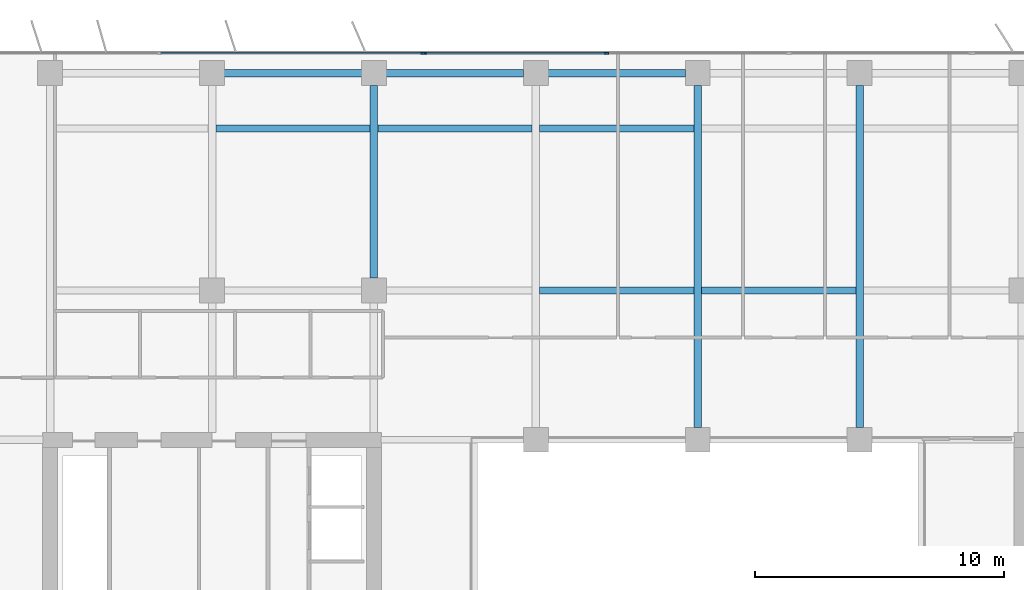
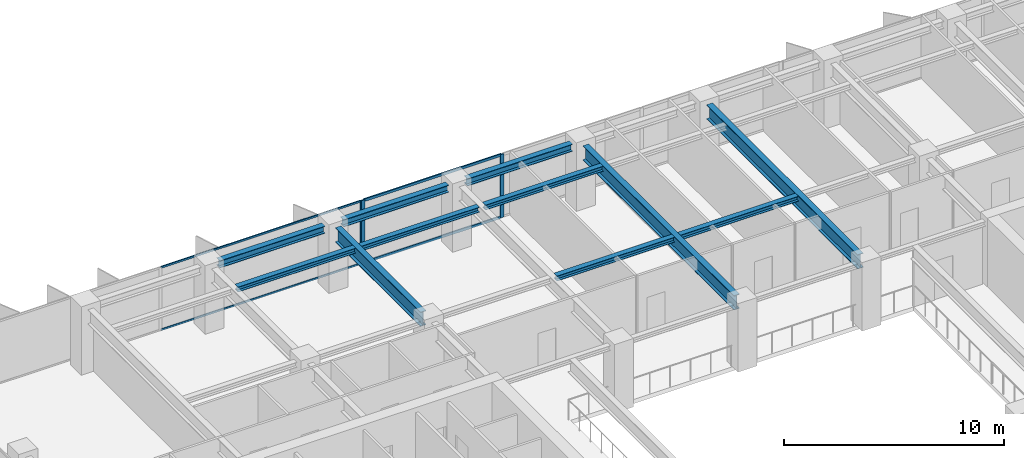
# One storey, part 9 of 22: 11 beams, 7 members, 2 elements without a shape of their own.
"""IFC4 building model written with IfcOpenShell, lengths in metres."""

from ifc_helpers import new_model, si_unit, direction, frame, origin, origin_2d, place, context, subcontext, project, spatial, rectangle, i_section, extrude, material, layer, layer_set, material_profile, profile_set, type_object, element, aggregate, save


model = new_model("IFC4")

# Units and contexts
model_context = context("Model", 3, precision=1e-05, world=origin(), true_north=direction((0.0, 1.0)))
body_context = subcontext(model_context, "Body", "Model", "MODEL_VIEW")
ifc_project = project(units=[si_unit("LENGTHUNIT", "METRE"), si_unit("AREAUNIT", "SQUARE_METRE"), si_unit("VOLUMEUNIT", "CUBIC_METRE"), si_unit("PLANEANGLEUNIT", "RADIAN"), si_unit("MASSUNIT", "GRAM", prefix="KILO")], contexts=[model_context])

# Site, building, storey
site_placement = place(None, origin())
site = spatial("IfcSite", under=ifc_project, at=site_placement, CompositionType="ELEMENT")
building_placement = place(site_placement, origin())
building = spatial("IfcBuilding", under=site, at=building_placement, Name="Putna Gate Headquarters", CompositionType="ELEMENT")
storey_placement = place(building_placement, frame((0.0, 0.0, 193.60009765625)))
storey = spatial("IfcBuildingStorey", under=building, at=storey_placement, Name="L48", CompositionType="ELEMENT", Elevation=193.60009765625)

# Beams
ifc_material_1 = material(Name="Steel S355J2", Category="steel")
ifc_material_profile_1 = material_profile(ifc_material_1, i_section(OverallWidth=0.300048828125, OverallDepth=0.800048828125, WebThickness=0.017578125, FlangeThickness=0.032958984375, at=origin_2d()), Name="Steel S355J2")
ifc_profile_set_1 = profile_set([ifc_material_profile_1], Name="Steel S355J2")
beam_type_1 = type_object("IfcBeamType", Name="BM-GIRD-P-HEB800", PredefinedType="USERDEFINED", material=ifc_profile_set_1)
beam_placement = place(storey_placement, frame((26.0, 39.488037109375, 3.119873046875), z_axis=(0.0, 1.0, 0.0), x_axis=(-1.0, 0.0, 0.0)))
element("IfcBeam", 1, at=beam_placement, inside=storey, type_object=beam_type_1, Name="L48 North Primary Girder X26-2", ObjectType="GIRDER", PredefinedType="USERDEFINED", context=body_context, shape_type="SweptSolid", body=[
    extrude(i_section(OverallWidth=0.300048828125, OverallDepth=0.800048828125, WebThickness=0.017578125, FlangeThickness=0.032958984375, at=origin_2d()), origin(), (0.0, 0.0, 1.0), 7.743896484375),
])
for number, where, z_axis, x_axis, name in (
    (2, (39.0, 33.488037109375, 3.119873046875), (0.0, 1.0, 0.0), (-1.0, 0.0, 0.0), "L48 North Primary Girder X39"),
    (3, (45.5, 33.488037109375, 3.119873046875), (0.0, 1.0, 0.0), (-1.0, 0.0, 0.0), "L48 North Primary Girder X45"),
):
    element("IfcBeam", number, at=place(storey_placement, frame(where, z_axis=z_axis, x_axis=x_axis)), inside=storey, type_object=beam_type_1, Name=name, ObjectType="GIRDER", PredefinedType="USERDEFINED", context=body_context, shape_type="SweptSolid", body=[
        extrude(i_section(OverallWidth=0.300048828125, OverallDepth=0.800048828125, WebThickness=0.017578125, FlangeThickness=0.032958984375, at=origin_2d()), origin(), (0.0, 0.0, 1.0), 13.743896484375),
    ])
ifc_material_profile_2 = material_profile(ifc_material_1, i_section(OverallWidth=0.300048828125, OverallDepth=0.39990234375, WebThickness=0.013427734375, FlangeThickness=0.02392578125, at=origin_2d()), Name="Steel S355J2")
ifc_profile_set_2 = profile_set([ifc_material_profile_2], Name="Steel S355J2")
beam_type_2 = type_object("IfcBeamType", Name="BM-SPAN-Z3-HEB400", PredefinedType="SPANDREL", material=ifc_profile_set_2)
for number, where, z_axis, x_axis, name in (
    (4, (19.988037109375, 47.719970703125, 3.31982421875), (1.0, 0.0, 0.0), (0.0, 1.0, 0.0), "L48 N Perimeter Spandrel 2"),
    (5, (26.488037109375, 47.719970703125, 3.31982421875), (1.0, 0.0, 0.0), (0.0, 1.0, 0.0), "L48 N Perimeter Spandrel 3"),
    (6, (32.988037109375, 47.719970703125, 3.31982421875), (1.0, 0.0, 0.0), (0.0, 1.0, 0.0), "L48 N Perimeter Spandrel 4"),
):
    element("IfcBeam", number, at=place(storey_placement, frame(where, z_axis=z_axis, x_axis=x_axis)), inside=storey, type_object=beam_type_2, Name=name, PredefinedType="SPANDREL", context=body_context, shape_type="SweptSolid", body=[
        extrude(i_section(OverallWidth=0.300048828125, OverallDepth=0.39990234375, WebThickness=0.013427734375, FlangeThickness=0.02392578125, at=origin_2d()), origin(), (0.0, 0.0, 1.0), 5.52392578125),
    ])
ifc_material_profile_3 = material_profile(ifc_material_1, i_section(OverallWidth=0.280029296875, OverallDepth=0.280029296875, WebThickness=0.010498046875, FlangeThickness=0.01806640625, at=origin_2d()), Name="Steel S355J2")
ifc_profile_set_3 = profile_set([ifc_material_profile_3], Name="Steel S355J2")
beam_type_3 = type_object("IfcBeamType", Name="BM-SPAN-Z5-HEB280", PredefinedType="SPANDREL", material=ifc_profile_set_3)
for number, where, z_axis, x_axis, name in (
    (7, (19.654052734375, 45.5, 3.3798828125), (1.0, 0.0, 0.0), (0.0, 1.0, 0.0), "L48 North Secondary Beam 2"),
    (8, (26.154052734375, 45.5, 3.3798828125), (1.0, 0.0, 0.0), (0.0, 1.0, 0.0), "L48 North Secondary Beam 3"),
    (9, (32.654052734375, 39.0, 3.3798828125), (1.0, 0.0, 0.0), (0.0, 1.0, 0.0), "L48 North Secondary Beam 4"),
    (10, (32.654052734375, 45.5, 3.3798828125), (1.0, 0.0, 0.0), (0.0, 1.0, 0.0), "L48 North Secondary Beam 4"),
    (11, (39.154052734375, 39.0, 3.3798828125), (1.0, 0.0, 0.0), (0.0, 1.0, 0.0), "L48 North Secondary Beam 5"),
):
    element("IfcBeam", number, at=place(storey_placement, frame(where, z_axis=z_axis, x_axis=x_axis)), inside=storey, type_object=beam_type_3, Name=name, PredefinedType="SPANDREL", context=body_context, shape_type="SweptSolid", body=[
        extrude(i_section(OverallWidth=0.280029296875, OverallDepth=0.280029296875, WebThickness=0.010498046875, FlangeThickness=0.01806640625, at=origin_2d()), origin(), (0.0, 0.0, 1.0), 6.19189453125),
    ])

# Curtain wall, member
ifc_material_2 = material(Name="Anodised bronze aluminium curtain wall", Category="aluminium")
ifc_layer_1 = layer(ifc_material_2, 0.159912109375)
ifc_layer_set_1 = layer_set([ifc_layer_1], Name="Anodised bronze aluminium curtain wall")
curtain_wall_type_1 = type_object("IfcCurtainWallType", Name="CW-SYS-Z3", PredefinedType="USERDEFINED", material=ifc_layer_set_1)
curtain_wall_1_placement = place(storey_placement, origin())
curtain_wall_1 = element("IfcCurtainWall", 12, at=curtain_wall_1_placement, inside=storey, type_object=curtain_wall_type_1, Name="L48 North West Curtain Wall", ObjectType="STICK CURTAIN WALL", PredefinedType="USERDEFINED")
ifc_material_3 = material(Name="Anodised bronze aluminium EN AW-6060", Category="aluminium")
ifc_material_profile_4 = material_profile(ifc_material_3, rectangle(XDim=0.06494140625, YDim=0.159912109375, at=origin_2d()), Name="Anodised bronze aluminium EN AW-6060")
ifc_profile_set_4 = profile_set([ifc_material_profile_4], Name="Anodised bronze aluminium EN AW-6060")
member_type_1 = type_object("IfcMemberType", Name="MULL-CWM-3", PredefinedType="MULLION", material=ifc_profile_set_4)
member_1_placement = place(storey_placement, frame((27.967529296875, 48.52001953125, 0.0), z_axis=(0.0, 0.0, 1.0), x_axis=(0.0, 1.0, 0.0)))
member_1 = element("IfcMember", 13, at=member_1_placement, type_object=member_type_1, Name="CWS-3 mullion 3", PredefinedType="MULLION", context=body_context, shape_type="SweptSolid", body=[
    extrude(rectangle(XDim=0.06494140625, YDim=0.159912109375, at=origin_2d()), origin(), (0.0, 0.0, 1.0), 3.52001953125),
])

# Curtain wall, members
ifc_layer_2 = layer(ifc_material_2, 0.179931640625)
ifc_layer_set_2 = layer_set([ifc_layer_2], Name="Anodised bronze aluminium curtain wall")
curtain_wall_type_2 = type_object("IfcCurtainWallType", Name="CW-SYS-ATR", PredefinedType="USERDEFINED", material=ifc_layer_set_2)
curtain_wall_2_placement = place(storey_placement, origin())
curtain_wall_2 = element("IfcCurtainWall", 14, at=curtain_wall_2_placement, inside=storey, type_object=curtain_wall_type_2, Name="L48 North Atrium Clear Glazing", ObjectType="ATRIUM GLAZING", PredefinedType="USERDEFINED")
ifc_material_profile_5 = material_profile(ifc_material_3, rectangle(XDim=0.070068359375, YDim=0.179931640625, at=origin_2d()), Name="Anodised bronze aluminium EN AW-6060")
ifc_profile_set_5 = profile_set([ifc_material_profile_5], Name="Anodised bronze aluminium EN AW-6060")
member_type_2 = type_object("IfcMemberType", Name="MULL-CWM-AT", PredefinedType="MULLION", material=ifc_profile_set_5)
member_2_placement = place(storey_placement, frame((28.034912109375, 48.52001953125, 0.0), z_axis=(0.0, 0.0, 1.0), x_axis=(0.0, 1.0, 0.0)))
member_2 = element("IfcMember", 15, at=member_2_placement, type_object=member_type_2, Name="CWS-AT mullion 1", PredefinedType="MULLION", context=body_context, shape_type="SweptSolid", body=[
    extrude(rectangle(XDim=0.070068359375, YDim=0.179931640625, at=origin_2d()), origin(), (0.0, 0.0, 1.0), 3.52001953125),
])
member_3_placement = place(storey_placement, frame((35.333251953125, 48.52001953125, 0.0), z_axis=(0.0, 0.0, 1.0), x_axis=(0.0, 1.0, 0.0)))
member_3 = element("IfcMember", 16, at=member_3_placement, type_object=member_type_2, Name="CWS-AT mullion 2", PredefinedType="MULLION", context=body_context, shape_type="SweptSolid", body=[
    extrude(rectangle(XDim=0.070068359375, YDim=0.179931640625, at=origin_2d()), origin(), (0.0, 0.0, 1.0), 3.52001953125),
])

# Member
ifc_material_profile_6 = material_profile(ifc_material_3, rectangle(XDim=0.06005859375, YDim=0.10009765625, at=origin_2d()), Name="Anodised bronze aluminium EN AW-6060")
ifc_profile_set_6 = profile_set([ifc_material_profile_6], Name="Anodised bronze aluminium EN AW-6060")
member_type_3 = type_object("IfcMemberType", Name="TRAN-CWT-3", PredefinedType="USERDEFINED", material=ifc_profile_set_6)
member_4_placement = place(storey_placement, frame((17.4326171875, 48.52001953125, 0.02978515625), z_axis=(1.0, 0.0, 0.0), x_axis=(0.0, 1.0, 0.0)))
member_4 = element("IfcMember", 17, at=member_4_placement, type_object=member_type_3, Name="CWS-3 transom 2.1", ObjectType="TRANSOM", PredefinedType="USERDEFINED", context=body_context, shape_type="SweptSolid", body=[
    extrude(rectangle(XDim=0.06005859375, YDim=0.10009765625, at=origin_2d()), origin(), (0.0, 0.0, 1.0), 10.50244140625),
])

member_5_placement = place(storey_placement, frame((17.4326171875, 48.52001953125, 3.489990234375), z_axis=(1.0, 0.0, 0.0), x_axis=(0.0, 1.0, 0.0)))
member_5 = element("IfcMember", 18, at=member_5_placement, type_object=member_type_3, Name="CWS-3 transom 2.2", ObjectType="TRANSOM", PredefinedType="USERDEFINED", context=body_context, shape_type="SweptSolid", body=[
    extrude(rectangle(XDim=0.06005859375, YDim=0.10009765625, at=origin_2d()), origin(), (0.0, 0.0, 1.0), 10.50244140625),
])

aggregate(curtain_wall_1, [member_1, member_4, member_5])

ifc_material_profile_7 = material_profile(ifc_material_3, rectangle(XDim=0.070068359375, YDim=0.139892578125, at=origin_2d()), Name="Anodised bronze aluminium EN AW-6060")
ifc_profile_set_7 = profile_set([ifc_material_profile_7], Name="Anodised bronze aluminium EN AW-6060")
member_type_4 = type_object("IfcMemberType", Name="TRAN-CWT-AT", PredefinedType="USERDEFINED", material=ifc_profile_set_7)
member_6_placement = place(storey_placement, frame((28.070068359375, 48.52001953125, 0.034912109375), z_axis=(1.0, 0.0, 0.0), x_axis=(0.0, 1.0, 0.0)))
member_6 = element("IfcMember", 19, at=member_6_placement, type_object=member_type_4, Name="CWS-AT transom 1.1", ObjectType="TRANSOM", PredefinedType="USERDEFINED", context=body_context, shape_type="SweptSolid", body=[
    extrude(rectangle(XDim=0.070068359375, YDim=0.139892578125, at=origin_2d()), origin(), (0.0, 0.0, 1.0), 7.228271484375),
])

member_7_placement = place(storey_placement, frame((28.070068359375, 48.52001953125, 3.48486328125), z_axis=(1.0, 0.0, 0.0), x_axis=(0.0, 1.0, 0.0)))
member_7 = element("IfcMember", 20, at=member_7_placement, type_object=member_type_4, Name="CWS-AT transom 1.2", ObjectType="TRANSOM", PredefinedType="USERDEFINED", context=body_context, shape_type="SweptSolid", body=[
    extrude(rectangle(XDim=0.070068359375, YDim=0.139892578125, at=origin_2d()), origin(), (0.0, 0.0, 1.0), 7.228271484375),
])

aggregate(curtain_wall_2, [member_2, member_3, member_6, member_7])

save(model, "model.ifc")
